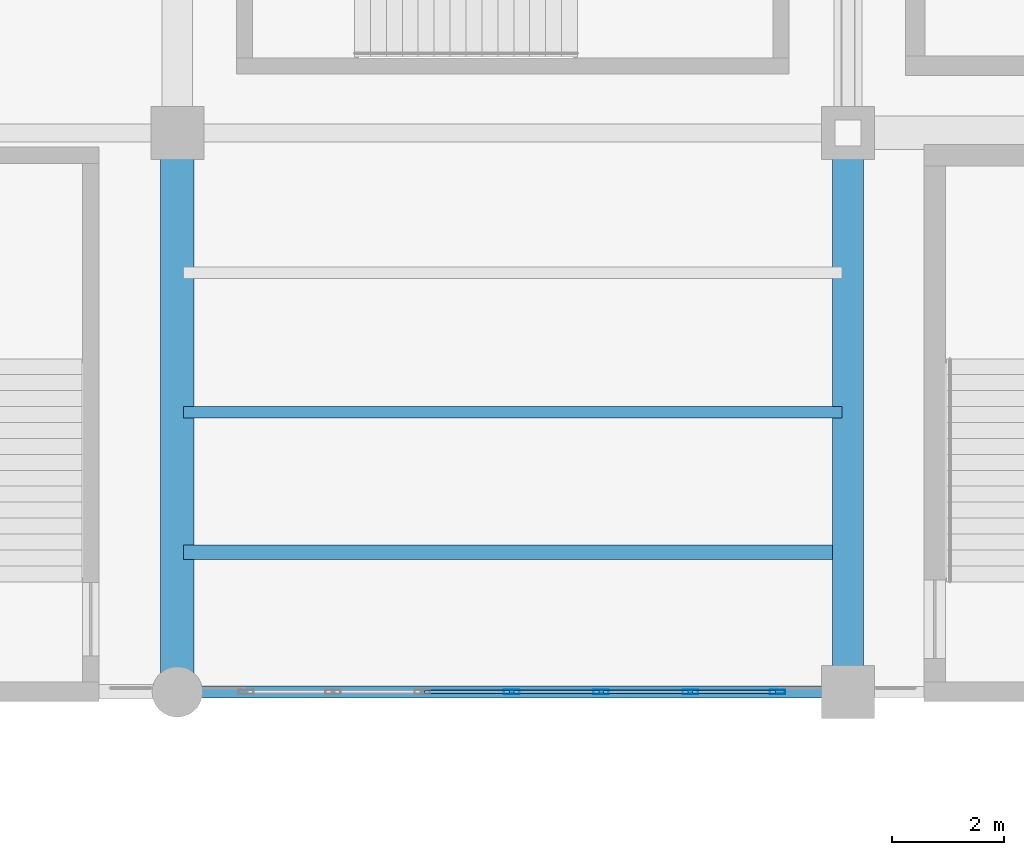
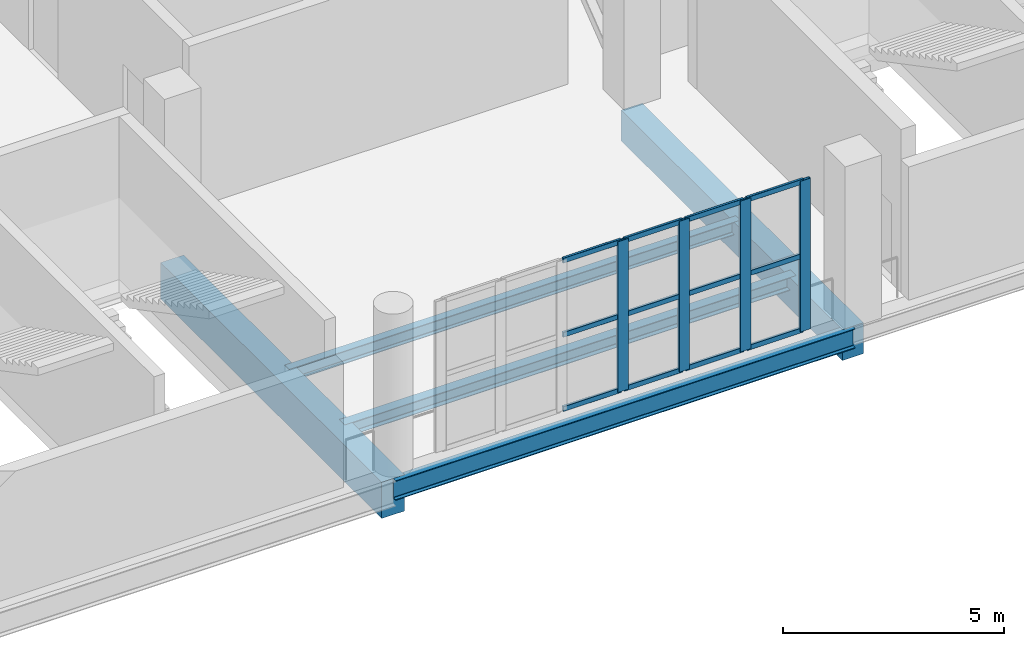
# One storey, part 32 of 90: 16 members, 5 beams, 1 element without a shape of its own.
"""IFC4 building model written with IfcOpenShell, lengths in metres."""

from ifc_helpers import new_model, si_unit, direction, frame, origin, origin_2d, place, context, subcontext, project, spatial, rectangle, hollow_rectangle, i_section, extrude, material, layer, layer_set, material_profile, profile_set, type_object, element, aggregate, save


model = new_model("IFC4")

# Units and contexts
model_context = context("Model", 3, precision=1e-05, world=origin(), true_north=direction((0.0, 1.0)))
body_context = subcontext(model_context, "Body", "Model", "MODEL_VIEW")
ifc_project = project(units=[si_unit("LENGTHUNIT", "METRE"), si_unit("AREAUNIT", "SQUARE_METRE"), si_unit("VOLUMEUNIT", "CUBIC_METRE"), si_unit("PLANEANGLEUNIT", "RADIAN"), si_unit("MASSUNIT", "GRAM", prefix="KILO")], contexts=[model_context])

# Site, building, storey
site_placement = place(None, origin())
site = spatial("IfcSite", under=ifc_project, at=site_placement, CompositionType="ELEMENT")
building_placement = place(site_placement, origin())
building = spatial("IfcBuilding", under=site, at=building_placement, Name="Brinegate Civic Arena", CompositionType="ELEMENT")
storey_placement = place(building_placement, frame((0.0, 0.0, 14.699951171875)))
storey = spatial("IfcBuildingStorey", under=building, at=storey_placement, Name="L03", CompositionType="ELEMENT", Elevation=14.699951171875)

# Curtain wall, members
ifc_material_1 = material(Name="Marine grade aluminium", Category="aluminium")
ifc_layer = layer(ifc_material_1, 0.199951171875, Name="Marine grade aluminium")
ifc_layer_set = layer_set([ifc_layer], Name="Marine grade aluminium")
curtain_wall_type = type_object("IfcCurtainWallType", Name="CW-BOWL-GLAZED-01", PredefinedType="USERDEFINED", material=ifc_layer_set)
curtain_wall_placement = place(storey_placement, origin())
curtain_wall = element("IfcCurtainWall", 1, at=curtain_wall_placement, inside=storey, type_object=curtain_wall_type, Name="Curtain Wall CWA-133", ObjectType="GLAZED CURTAIN WALL", PredefinedType="USERDEFINED")
ifc_material_profile_1 = material_profile(ifc_material_1, hollow_rectangle(XDim=0.080078125, YDim=0.280029296875, WallThickness=0.007080078125, InnerFilletRadius=0.0048828125, OuterFilletRadius=0.010009765625, at=origin_2d()), Name="MUL80X280")
ifc_profile_set_1 = profile_set([ifc_material_profile_1], Name="Marine grade aluminium")
member_type_1 = type_object("IfcMemberType", Name="CW-MULLION-80X280", PredefinedType="MULLION", material=ifc_profile_set_1)
member_1_placement = place(storey_placement, frame((149.98193359375, 10.0, 0.0), z_axis=(0.0, 0.0, 1.0), x_axis=(0.0, 1.0, 0.0)))
member_1 = element("IfcMember", 2, at=member_1_placement, type_object=member_type_1, Name="CWA-133 mullion 4", PredefinedType="MULLION", context=body_context, shape_type="SweptSolid", body=[
    extrude(hollow_rectangle(XDim=0.080078125, YDim=0.280029296875, WallThickness=0.007080078125, InnerFilletRadius=0.0048828125, OuterFilletRadius=0.010009765625, at=origin_2d()), origin(), (0.0, 0.0, 1.0), 4.16015625),
])
member_2_placement = place(storey_placement, frame((151.58056640625, 10.0, 0.0), z_axis=(0.0, 0.0, 1.0), x_axis=(0.0, 1.0, 0.0)))
member_2 = element("IfcMember", 3, at=member_2_placement, type_object=member_type_1, Name="CWA-133 mullion 5", PredefinedType="MULLION", context=body_context, shape_type="SweptSolid", body=[
    extrude(hollow_rectangle(XDim=0.080078125, YDim=0.280029296875, WallThickness=0.007080078125, InnerFilletRadius=0.0048828125, OuterFilletRadius=0.010009765625, at=origin_2d()), origin(), (0.0, 0.0, 1.0), 4.16015625),
])
member_3_placement = place(storey_placement, frame((153.179443359375, 10.0, 0.0), z_axis=(0.0, 0.0, 1.0), x_axis=(0.0, 1.0, 0.0)))
member_3 = element("IfcMember", 4, at=member_3_placement, type_object=member_type_1, Name="CWA-133 mullion 6", PredefinedType="MULLION", context=body_context, shape_type="SweptSolid", body=[
    extrude(hollow_rectangle(XDim=0.080078125, YDim=0.280029296875, WallThickness=0.007080078125, InnerFilletRadius=0.0048828125, OuterFilletRadius=0.010009765625, at=origin_2d()), origin(), (0.0, 0.0, 1.0), 4.16015625),
])
member_4_placement = place(storey_placement, frame((154.738037109375, 10.0, 0.0), z_axis=(0.0, 0.0, 1.0), x_axis=(0.0, 1.0, 0.0)))
member_4 = element("IfcMember", 5, at=member_4_placement, type_object=member_type_1, Name="CWA-133 mullion 7", PredefinedType="MULLION", context=body_context, shape_type="SweptSolid", body=[
    extrude(hollow_rectangle(XDim=0.080078125, YDim=0.280029296875, WallThickness=0.007080078125, InnerFilletRadius=0.0048828125, OuterFilletRadius=0.010009765625, at=origin_2d()), origin(), (0.0, 0.0, 1.0), 4.16015625),
])
ifc_material_profile_2 = material_profile(ifc_material_1, hollow_rectangle(XDim=0.06494140625, YDim=0.139892578125, WallThickness=0.0048828125, InnerFilletRadius=0.00390625, OuterFilletRadius=0.008056640625, at=origin_2d()), Name="TRN65X140")
ifc_profile_set_2 = profile_set([ifc_material_profile_2], Name="Marine grade aluminium")
member_type_2 = type_object("IfcMemberType", Name="CW-TRANSOM-65X140", PredefinedType="USERDEFINED", material=ifc_profile_set_2)
member_5_placement = place(storey_placement, frame((148.42333984375, 10.0, 0.032470703125), z_axis=(1.0, 0.0, 0.0), x_axis=(0.0, 1.0, 0.0)))
member_5 = element("IfcMember", 6, at=member_5_placement, type_object=member_type_2, Name="CWA-133 transom 3.1", ObjectType="TRANSOM", PredefinedType="USERDEFINED", context=body_context, shape_type="SweptSolid", body=[
    extrude(hollow_rectangle(XDim=0.06494140625, YDim=0.139892578125, WallThickness=0.0048828125, InnerFilletRadius=0.00390625, OuterFilletRadius=0.008056640625, at=origin_2d()), origin(), (0.0, 0.0, 1.0), 1.5185546875),
])
member_6_placement = place(storey_placement, frame((148.42333984375, 10.0, 2.080078125), z_axis=(1.0, 0.0, 0.0), x_axis=(0.0, 1.0, 0.0)))
member_6 = element("IfcMember", 7, at=member_6_placement, type_object=member_type_2, Name="CWA-133 transom 3.2", ObjectType="TRANSOM", PredefinedType="USERDEFINED", context=body_context, shape_type="SweptSolid", body=[
    extrude(hollow_rectangle(XDim=0.06494140625, YDim=0.139892578125, WallThickness=0.0048828125, InnerFilletRadius=0.00390625, OuterFilletRadius=0.008056640625, at=origin_2d()), origin(), (0.0, 0.0, 1.0), 1.5185546875),
])
member_7_placement = place(storey_placement, frame((148.42333984375, 10.0, 4.12744140625), z_axis=(1.0, 0.0, 0.0), x_axis=(0.0, 1.0, 0.0)))
member_7 = element("IfcMember", 8, at=member_7_placement, type_object=member_type_2, Name="CWA-133 transom 3.3", ObjectType="TRANSOM", PredefinedType="USERDEFINED", context=body_context, shape_type="SweptSolid", body=[
    extrude(hollow_rectangle(XDim=0.06494140625, YDim=0.139892578125, WallThickness=0.0048828125, InnerFilletRadius=0.00390625, OuterFilletRadius=0.008056640625, at=origin_2d()), origin(), (0.0, 0.0, 1.0), 1.5185546875),
])
member_8_placement = place(storey_placement, frame((150.02197265625, 10.0, 0.032470703125), z_axis=(1.0, 0.0, 0.0), x_axis=(0.0, 1.0, 0.0)))
member_8 = element("IfcMember", 9, at=member_8_placement, type_object=member_type_2, Name="CWA-133 transom 4.1", ObjectType="TRANSOM", PredefinedType="USERDEFINED", context=body_context, shape_type="SweptSolid", body=[
    extrude(hollow_rectangle(XDim=0.06494140625, YDim=0.139892578125, WallThickness=0.0048828125, InnerFilletRadius=0.00390625, OuterFilletRadius=0.008056640625, at=origin_2d()), origin(), (0.0, 0.0, 1.0), 1.518798828125),
])
member_9_placement = place(storey_placement, frame((150.02197265625, 10.0, 2.080078125), z_axis=(1.0, 0.0, 0.0), x_axis=(0.0, 1.0, 0.0)))
member_9 = element("IfcMember", 10, at=member_9_placement, type_object=member_type_2, Name="CWA-133 transom 4.2", ObjectType="TRANSOM", PredefinedType="USERDEFINED", context=body_context, shape_type="SweptSolid", body=[
    extrude(hollow_rectangle(XDim=0.06494140625, YDim=0.139892578125, WallThickness=0.0048828125, InnerFilletRadius=0.00390625, OuterFilletRadius=0.008056640625, at=origin_2d()), origin(), (0.0, 0.0, 1.0), 1.518798828125),
])
member_10_placement = place(storey_placement, frame((150.02197265625, 10.0, 4.12744140625), z_axis=(1.0, 0.0, 0.0), x_axis=(0.0, 1.0, 0.0)))
member_10 = element("IfcMember", 11, at=member_10_placement, type_object=member_type_2, Name="CWA-133 transom 4.3", ObjectType="TRANSOM", PredefinedType="USERDEFINED", context=body_context, shape_type="SweptSolid", body=[
    extrude(hollow_rectangle(XDim=0.06494140625, YDim=0.139892578125, WallThickness=0.0048828125, InnerFilletRadius=0.00390625, OuterFilletRadius=0.008056640625, at=origin_2d()), origin(), (0.0, 0.0, 1.0), 1.518798828125),
])
member_11_placement = place(storey_placement, frame((151.62060546875, 10.0, 0.032470703125), z_axis=(1.0, 0.0, 0.0), x_axis=(0.0, 1.0, 0.0)))
member_11 = element("IfcMember", 12, at=member_11_placement, type_object=member_type_2, Name="CWA-133 transom 5.1", ObjectType="TRANSOM", PredefinedType="USERDEFINED", context=body_context, shape_type="SweptSolid", body=[
    extrude(hollow_rectangle(XDim=0.06494140625, YDim=0.139892578125, WallThickness=0.0048828125, InnerFilletRadius=0.00390625, OuterFilletRadius=0.008056640625, at=origin_2d()), origin(), (0.0, 0.0, 1.0), 1.518798828125),
])
member_12_placement = place(storey_placement, frame((151.62060546875, 10.0, 2.080078125), z_axis=(1.0, 0.0, 0.0), x_axis=(0.0, 1.0, 0.0)))
member_12 = element("IfcMember", 13, at=member_12_placement, type_object=member_type_2, Name="CWA-133 transom 5.2", ObjectType="TRANSOM", PredefinedType="USERDEFINED", context=body_context, shape_type="SweptSolid", body=[
    extrude(hollow_rectangle(XDim=0.06494140625, YDim=0.139892578125, WallThickness=0.0048828125, InnerFilletRadius=0.00390625, OuterFilletRadius=0.008056640625, at=origin_2d()), origin(), (0.0, 0.0, 1.0), 1.518798828125),
])
member_13_placement = place(storey_placement, frame((151.62060546875, 10.0, 4.12744140625), z_axis=(1.0, 0.0, 0.0), x_axis=(0.0, 1.0, 0.0)))
member_13 = element("IfcMember", 14, at=member_13_placement, type_object=member_type_2, Name="CWA-133 transom 5.3", ObjectType="TRANSOM", PredefinedType="USERDEFINED", context=body_context, shape_type="SweptSolid", body=[
    extrude(hollow_rectangle(XDim=0.06494140625, YDim=0.139892578125, WallThickness=0.0048828125, InnerFilletRadius=0.00390625, OuterFilletRadius=0.008056640625, at=origin_2d()), origin(), (0.0, 0.0, 1.0), 1.518798828125),
])
member_14_placement = place(storey_placement, frame((153.21923828125, 10.0, 0.032470703125), z_axis=(1.0, 0.0, 0.0), x_axis=(0.0, 1.0, 0.0)))
member_14 = element("IfcMember", 15, at=member_14_placement, type_object=member_type_2, Name="CWA-133 transom 6.1", ObjectType="TRANSOM", PredefinedType="USERDEFINED", context=body_context, shape_type="SweptSolid", body=[
    extrude(hollow_rectangle(XDim=0.06494140625, YDim=0.139892578125, WallThickness=0.0048828125, InnerFilletRadius=0.00390625, OuterFilletRadius=0.008056640625, at=origin_2d()), origin(), (0.0, 0.0, 1.0), 1.478759765625),
])
member_15_placement = place(storey_placement, frame((153.21923828125, 10.0, 2.080078125), z_axis=(1.0, 0.0, 0.0), x_axis=(0.0, 1.0, 0.0)))
member_15 = element("IfcMember", 16, at=member_15_placement, type_object=member_type_2, Name="CWA-133 transom 6.2", ObjectType="TRANSOM", PredefinedType="USERDEFINED", context=body_context, shape_type="SweptSolid", body=[
    extrude(hollow_rectangle(XDim=0.06494140625, YDim=0.139892578125, WallThickness=0.0048828125, InnerFilletRadius=0.00390625, OuterFilletRadius=0.008056640625, at=origin_2d()), origin(), (0.0, 0.0, 1.0), 1.478759765625),
])
member_16_placement = place(storey_placement, frame((153.21923828125, 10.0, 4.12744140625), z_axis=(1.0, 0.0, 0.0), x_axis=(0.0, 1.0, 0.0)))
member_16 = element("IfcMember", 17, at=member_16_placement, type_object=member_type_2, Name="CWA-133 transom 6.3", ObjectType="TRANSOM", PredefinedType="USERDEFINED", context=body_context, shape_type="SweptSolid", body=[
    extrude(hollow_rectangle(XDim=0.06494140625, YDim=0.139892578125, WallThickness=0.0048828125, InnerFilletRadius=0.00390625, OuterFilletRadius=0.008056640625, at=origin_2d()), origin(), (0.0, 0.0, 1.0), 1.478759765625),
])
aggregate(curtain_wall, [member_1, member_2, member_3, member_4, member_5, member_6, member_7, member_8, member_9, member_10, member_11, member_12, member_13, member_14, member_15, member_16])

# Beams
ifc_material_2 = material(Name="Steel S355", Category="steel")
ifc_material_profile_3 = material_profile(ifc_material_2, i_section(OverallWidth=0.205078125, OverallDepth=0.35400390625, WebThickness=0.009033203125, FlangeThickness=0.01708984375, FilletRadius=0.013916015625, at=origin_2d()), Name="W360X79")
ifc_profile_set_3 = profile_set([ifc_material_profile_3], Name="Steel S355")
beam_type_1 = type_object("IfcBeamType", Name="JOIST-W360X79", PredefinedType="JOIST", material=ifc_profile_set_3)
beam_1_placement = place(storey_placement, frame((144.10595703125, 15.0, -0.52685546875), z_axis=(1.0, 0.0, 0.0), x_axis=(0.0, 1.0, 0.0)))
element("IfcBeam", 18, at=beam_1_placement, inside=storey, type_object=beam_type_1, Name="Secondary Joist BM-L03-JX-12-01-2", PredefinedType="JOIST", context=body_context, shape_type="SweptSolid", body=[
    extrude(i_section(OverallWidth=0.205078125, OverallDepth=0.35400390625, WebThickness=0.009033203125, FlangeThickness=0.01708984375, FilletRadius=0.013916015625, at=origin_2d()), origin(), (0.0, 0.0, 1.0), 11.7880859375),
])
ifc_material_profile_4 = material_profile(ifc_material_2, i_section(OverallWidth=0.25390625, OverallDepth=0.35302734375, WebThickness=0.010009765625, FlangeThickness=0.01611328125, FilletRadius=0.013916015625, at=origin_2d()), Name="W360X91")
ifc_profile_set_4 = profile_set([ifc_material_profile_4], Name="Steel S355")
beam_type_2 = type_object("IfcBeamType", Name="JOIST-W360X91", PredefinedType="JOIST", material=ifc_profile_set_4)
beam_2_placement = place(storey_placement, frame((144.10595703125, 12.5, -0.52587890625), z_axis=(1.0, 0.0, 0.0), x_axis=(0.0, 1.0, 0.0)))
element("IfcBeam", 19, at=beam_2_placement, inside=storey, type_object=beam_type_2, Name="Secondary Joist BM-L03-JX-12-01-1", PredefinedType="JOIST", context=body_context, shape_type="SweptSolid", body=[
    extrude(i_section(OverallWidth=0.25390625, OverallDepth=0.35302734375, WebThickness=0.010009765625, FlangeThickness=0.01611328125, FilletRadius=0.013916015625, at=origin_2d()), origin(), (0.0, 0.0, 1.0), 11.7880859375),
])
ifc_material_3 = material(Name="Concrete C50/60", Category="concrete")
ifc_material_profile_5 = material_profile(ifc_material_3, rectangle(XDim=0.550048828125, YDim=0.85009765625, at=origin_2d()), Name="RCB550X850")
ifc_profile_set_5 = profile_set([ifc_material_profile_5], Name="Concrete C50/60")
beam_type_3 = type_object("IfcBeamType", Name="RCG-550X850", PredefinedType="BEAM", material=ifc_profile_set_5)
beam_3_placement = place(storey_placement, frame((156.0, 10.0, -0.77490234375), z_axis=(0.0, 1.0, 0.0), x_axis=(-1.0, 0.0, 0.0)))
element("IfcBeam", 20, at=beam_3_placement, inside=storey, type_object=beam_type_3, Name="Floor Girder BM-L03-GY-13-01", PredefinedType="BEAM", context=body_context, shape_type="SweptSolid", body=[
    extrude(rectangle(XDim=0.550048828125, YDim=0.85009765625, at=origin_2d()), origin(), (0.0, 0.0, 1.0), 10.0),
])
ifc_material_profile_6 = material_profile(ifc_material_3, rectangle(XDim=0.60009765625, YDim=1.0, at=origin_2d()), Name="RCB600X1000")
ifc_profile_set_6 = profile_set([ifc_material_profile_6], Name="Concrete C50/60")
beam_type_4 = type_object("IfcBeamType", Name="RCG-600X1000", PredefinedType="BEAM", material=ifc_profile_set_6)
beam_4_placement = place(storey_placement, frame((144.0, 10.0, -0.849853515625), z_axis=(0.0, 1.0, 0.0), x_axis=(-1.0, 0.0, 0.0)))
element("IfcBeam", 21, at=beam_4_placement, inside=storey, type_object=beam_type_4, Name="Floor Girder BM-L03-GY-12-01", PredefinedType="BEAM", context=body_context, shape_type="SweptSolid", body=[
    extrude(rectangle(XDim=0.60009765625, YDim=1.0, at=origin_2d()), origin(), (0.0, 0.0, 1.0), 10.0),
])
ifc_material_profile_7 = material_profile(ifc_material_2, i_section(OverallWidth=0.2119140625, OverallDepth=0.5439453125, WebThickness=0.012939453125, FlangeThickness=0.02099609375, FilletRadius=0.01611328125, at=origin_2d()), Name="W530X123")
ifc_profile_set_7 = profile_set([ifc_material_profile_7], Name="Steel S355")
beam_type_5 = type_object("IfcBeamType", Name="SPANDREL-W530X123", PredefinedType="SPANDREL", material=ifc_profile_set_7)
beam_5_placement = place(storey_placement, frame((144.0, 10.0, -0.6220703125), z_axis=(1.0, 0.0, 0.0), x_axis=(0.0, 1.0, 0.0)))
element("IfcBeam", 22, at=beam_5_placement, inside=storey, type_object=beam_type_5, Name="Floor Girder BM-L03-GX-12-01", PredefinedType="SPANDREL", context=body_context, shape_type="SweptSolid", body=[
    extrude(i_section(OverallWidth=0.2119140625, OverallDepth=0.5439453125, WebThickness=0.012939453125, FlangeThickness=0.02099609375, FilletRadius=0.01611328125, at=origin_2d()), origin(), (0.0, 0.0, 1.0), 12.0),
])

save(model, "model.ifc")
